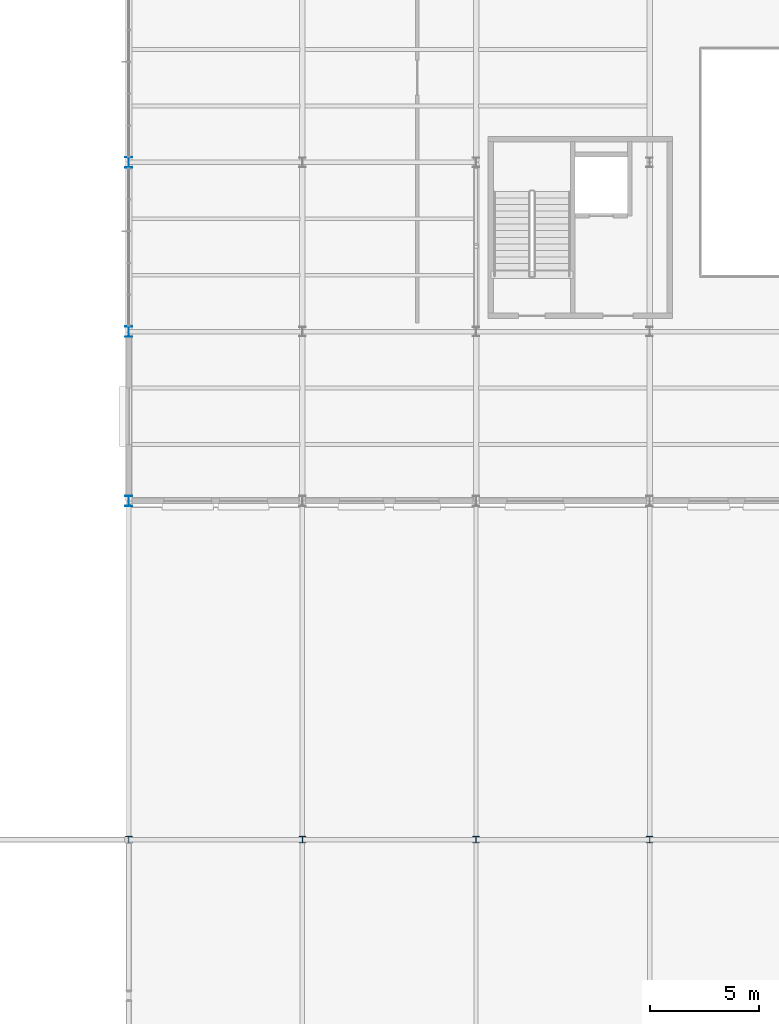
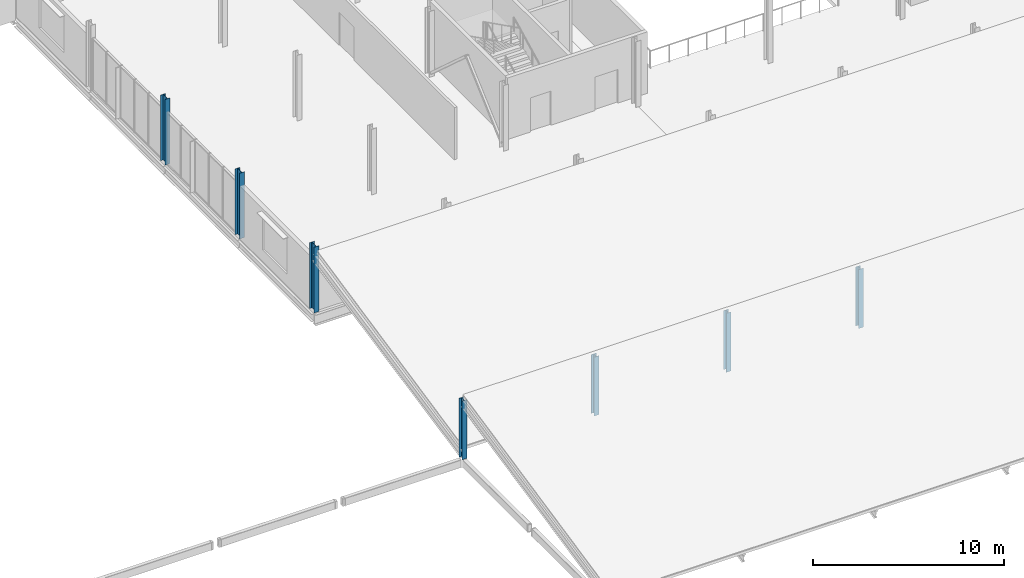
# One storey, part 1 of 45: 7 columns.
"""IFC4 building model written with IfcOpenShell, lengths in metres."""

from ifc_helpers import new_model, si_unit, direction, frame, origin, origin_2d, place, context, subcontext, project, spatial, i_section, extrude, material, material_profile, profile_set, type_object, element, save


model = new_model("IFC4")

# Units and contexts
model_context = context("Model", 3, precision=1e-05, world=origin(), true_north=direction((0.0, 1.0)))
body_context = subcontext(model_context, "Body", "Model", "MODEL_VIEW")
ifc_project = project(units=[si_unit("LENGTHUNIT", "METRE"), si_unit("AREAUNIT", "SQUARE_METRE"), si_unit("VOLUMEUNIT", "CUBIC_METRE"), si_unit("PLANEANGLEUNIT", "RADIAN"), si_unit("MASSUNIT", "GRAM", prefix="KILO")], contexts=[model_context])

# Site, building, storey
site_placement = place(None, origin())
site = spatial("IfcSite", under=ifc_project, at=site_placement, CompositionType="ELEMENT")
building_placement = place(site_placement, origin())
building = spatial("IfcBuilding", under=site, at=building_placement, Name="Yukiwa Park Conservatory and Herbarium", CompositionType="ELEMENT")
storey_placement = place(building_placement, frame((0.0, 0.0, 9.0)))
storey = spatial("IfcBuildingStorey", under=building, at=storey_placement, Name="L02", CompositionType="ELEMENT", Elevation=9.0)

# Columns
ifc_material_1 = material(Name="Steel Q355D", Category="steel")
ifc_material_profile_1 = material_profile(ifc_material_1, i_section(OverallWidth=0.300048828125, OverallDepth=0.300048828125, WebThickness=0.010009765625, FlangeThickness=0.014892578125, FilletRadius=0.01806640625, at=origin_2d()), Name="HW 300x300x10x15")
ifc_profile_set_1 = profile_set([ifc_material_profile_1], Name="Steel Q355D")
column_type_1 = type_object("IfcColumnType", Name="COL-TW-HW300", PredefinedType="COLUMN", material=ifc_profile_set_1)
for number, where, z_axis, x_axis, name in (
    (1, (68.0, 31.199951171875, 0.0), (0.0, 0.0, 1.0), (1.0, 0.0, 0.0), "Concourse clerestory roof post M-2"),
    (2, (76.0, 31.199951171875, 0.0), (0.0, 0.0, 1.0), (1.0, 0.0, 0.0), "Concourse clerestory roof post M-3"),
    (3, (84.0, 31.199951171875, 0.0), (0.0, 0.0, 1.0), (1.0, 0.0, 0.0), "Concourse clerestory roof post M-4"),
):
    element("IfcColumn", number, at=place(storey_placement, frame(where, z_axis=z_axis, x_axis=x_axis)), inside=storey, type_object=column_type_1, Name=name, PredefinedType="COLUMN", context=body_context, shape_type="SweptSolid", body=[
        extrude(i_section(OverallWidth=0.300048828125, OverallDepth=0.300048828125, WebThickness=0.010009765625, FlangeThickness=0.014892578125, FilletRadius=0.01806640625, at=origin_2d()), origin(), (0.0, 0.0, 1.0), 3.77099609375),
    ])
ifc_material_2 = material(Name="Steel Q355D", Category="steel")
ifc_material_profile_2 = material_profile(ifc_material_2, i_section(OverallWidth=0.300048828125, OverallDepth=0.300048828125, WebThickness=0.010009765625, FlangeThickness=0.014892578125, FilletRadius=0.01806640625, at=origin_2d()), Name="HW 300x300x10x15")
ifc_profile_set_2 = profile_set([ifc_material_profile_2], Name="Steel Q355D")
column_type_2 = type_object("IfcColumnType", Name="COL-TW-HW300-EXT", PredefinedType="COLUMN", material=ifc_profile_set_2)
column_placement = place(storey_placement, frame((60.0, 31.199951171875, 0.0), z_axis=(0.0, 0.0, 1.0), x_axis=(1.0, 0.0, 0.0)))
element("IfcColumn", 4, at=column_placement, inside=storey, type_object=column_type_2, Name="Concourse clerestory roof post M-1", PredefinedType="COLUMN", context=body_context, shape_type="SweptSolid", body=[
    extrude(i_section(OverallWidth=0.300048828125, OverallDepth=0.300048828125, WebThickness=0.010009765625, FlangeThickness=0.014892578125, FilletRadius=0.01806640625, at=origin_2d()), origin(), (0.0, 0.0, 1.0), 3.77099609375),
])
ifc_material_3 = material(Name="Steel Q355D", Category="steel")
ifc_material_profile_3 = material_profile(ifc_material_3, i_section(OverallWidth=0.300048828125, OverallDepth=0.48193359375, WebThickness=0.010986328125, FlangeThickness=0.014892578125, FilletRadius=0.02392578125, at=origin_2d()), Name="HM 482x300x11x15")
ifc_profile_set_3 = profile_set([ifc_material_profile_3], Name="Steel Q355D")
column_type_3 = type_object("IfcColumnType", Name="COL-VS-HM482-EXT", PredefinedType="COLUMN", material=ifc_profile_set_3)
for number, where, z_axis, x_axis, name in (
    (5, (60.0, 46.800048828125, 0.0), (0.0, 0.0, 1.0), (1.0, 0.0, 0.0), "L02 column V3-X600-Y468"),
    (6, (60.0, 54.60009765625, 0.0), (0.0, 0.0, 1.0), (1.0, 0.0, 0.0), "L02 column V3-X600-Y546"),
    (7, (60.0, 62.39990234375, 0.0), (0.0, 0.0, 1.0), (1.0, 0.0, 0.0), "L02 column V3-X600-Y624"),
):
    element("IfcColumn", number, at=place(storey_placement, frame(where, z_axis=z_axis, x_axis=x_axis)), inside=storey, type_object=column_type_3, Name=name, PredefinedType="COLUMN", context=body_context, shape_type="SweptSolid", body=[
        extrude(i_section(OverallWidth=0.300048828125, OverallDepth=0.48193359375, WebThickness=0.010986328125, FlangeThickness=0.014892578125, FilletRadius=0.02392578125, at=origin_2d()), origin(), (0.0, 0.0, 1.0), 4.199951171875),
    ])

save(model, "model.ifc")
